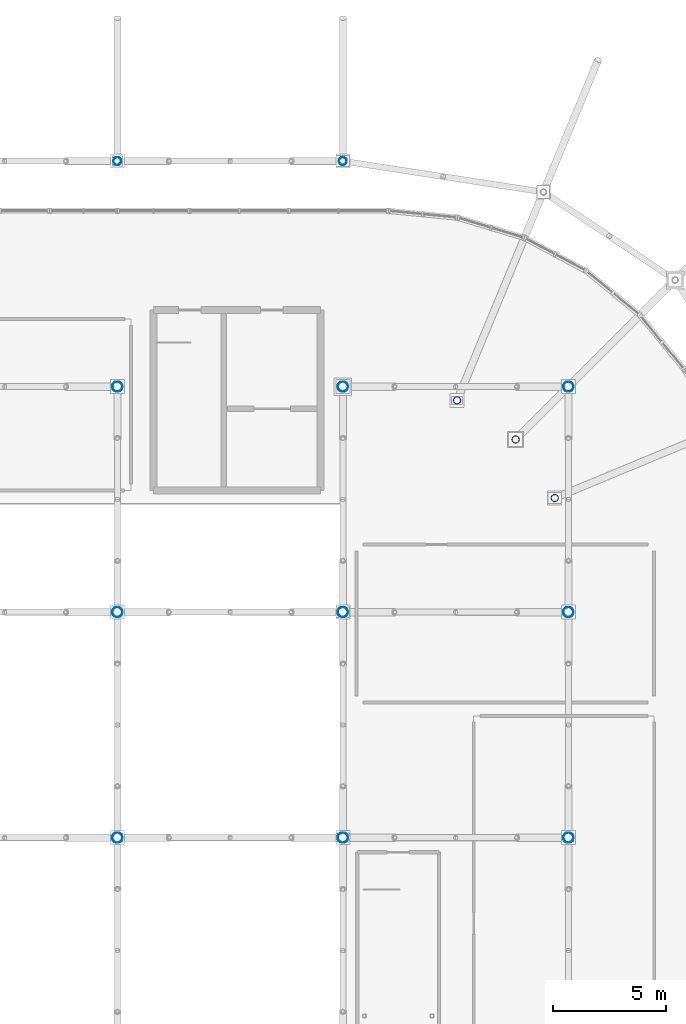
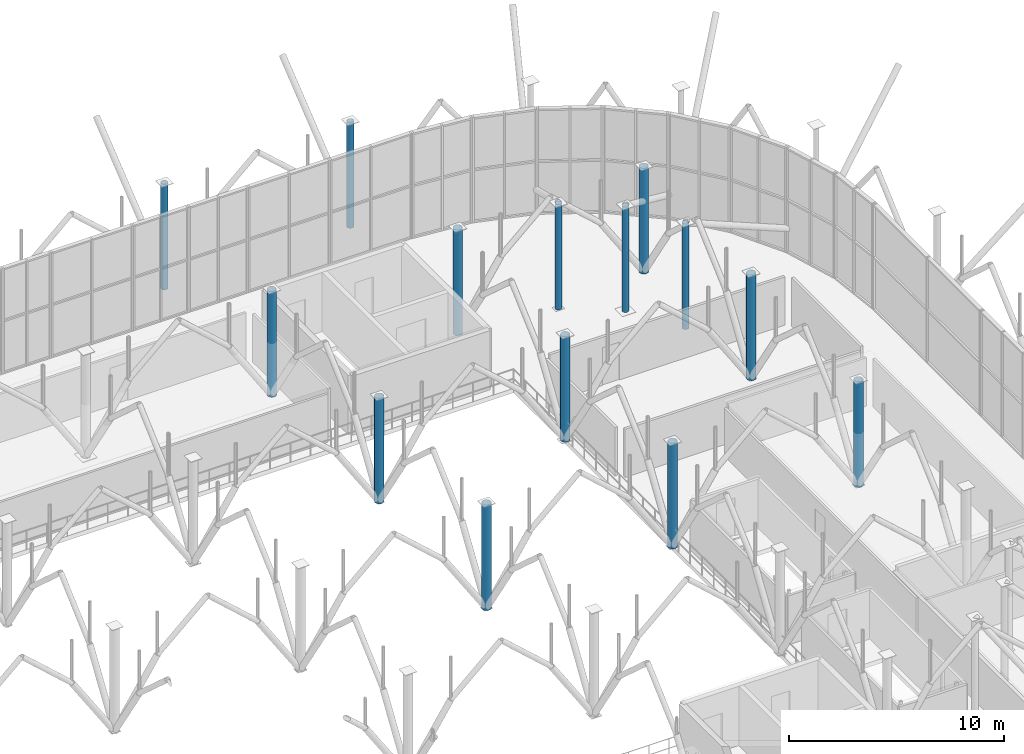
# One storey, part 13 of 109: 14 columns.
"""IFC4 building model written with IfcOpenShell, lengths in metres."""

from ifc_helpers import new_model, si_unit, derived_unit, direction, frame, origin, origin_2d_with_axis, place, context, subcontext, project, spatial, hollow_circle, extrude, material, material_profile, profile_set, type_object, element, save


model = new_model("IFC4")

# Units and contexts
model_context = context("Model", 3, precision=1e-05, world=origin(), true_north=direction((0.0, 1.0)))
body_context = subcontext(model_context, "Body", "Model", "MODEL_VIEW")
ifc_project = project(units=[si_unit("LENGTHUNIT", "METRE"), si_unit("AREAUNIT", "SQUARE_METRE"), si_unit("VOLUMEUNIT", "CUBIC_METRE"), si_unit("PLANEANGLEUNIT", "RADIAN"), si_unit("MASSUNIT", "GRAM", prefix="KILO"), derived_unit("THERMALTRANSMITTANCEUNIT", [(si_unit("POWERUNIT", "WATT"), 1), (si_unit("LENGTHUNIT", "METRE"), -2), (si_unit("THERMODYNAMICTEMPERATUREUNIT", "KELVIN"), -1)])], contexts=[model_context])

# Site, building, storey
site_placement = place(None, origin())
site = spatial("IfcSite", under=ifc_project, at=site_placement, CompositionType="ELEMENT")
building_placement = place(site_placement, origin())
building = spatial("IfcBuilding", under=site, at=building_placement, Name="Cinnabar Yard Market Hall", CompositionType="ELEMENT")
storey_placement = place(building_placement, frame((0.0, 0.0, 8.39990234375)))
storey = spatial("IfcBuildingStorey", under=building, at=storey_placement, Name="L02", CompositionType="ELEMENT", Elevation=8.39990234375)

# Columns
ifc_material = material(Name="Spotted-gum glulam-clad steel Grade 350 (350 MPa)", Category="steel")
ifc_material_profile_1 = material_profile(ifc_material, hollow_circle(Radius=0.228515625, WallThickness=0.0126953125, at=origin_2d_with_axis()), Name="457.0x12.7CHS")
ifc_profile_set_1 = profile_set([ifc_material_profile_1], Name="Spotted-gum glulam-clad steel Grade 350 (350 MPa)")
column_type_1 = type_object("IfcColumnType", Name="COL-C01", PredefinedType="COLUMN", material=ifc_profile_set_1)
for number, where, z_axis, x_axis, name in (
    (1, (136.0, 44.0, 0.0), (0.0, 0.0, 1.0), (1.0, 0.0, 0.0), "Tree Column V1I-07-03 L02"),
    (2, (136.0, 54.0, 0.0), (0.0, 0.0, 1.0), (1.0, 0.0, 0.0), "Tree Column V1I-07-04 L02"),
    (3, (136.0, 64.0, 0.0), (0.0, 0.0, 1.0), (1.0, 0.0, 0.0), "Tree Column V1I-07-05 L02"),
    (4, (146.0, 44.0, 0.0), (0.0, 0.0, 1.0), (1.0, 0.0, 0.0), "Tree Column V1I-08-03 L02"),
    (5, (146.0, 54.0, 0.0), (0.0, 0.0, 1.0), (1.0, 0.0, 0.0), "Tree Column V1I-08-04 L02"),
    (6, (146.0, 64.0, 0.0), (0.0, 0.0, 1.0), (1.0, 0.0, 0.0), "Tree Column V1I-08-05 L02"),
    (7, (156.0, 44.0, 0.0), (0.0, 0.0, 1.0), (1.0, 0.0, 0.0), "Tree Column V1I-09-03 L02"),
    (8, (156.0, 54.0, 0.0), (0.0, 0.0, 1.0), (1.0, 0.0, 0.0), "Tree Column V1I-09-04 L02"),
    (9, (156.0, 64.0, 0.0), (0.0, 0.0, 1.0), (1.0, 0.0, 0.0), "Tree Column V1I-09-05 L02"),
):
    element("IfcColumn", number, at=place(storey_placement, frame(where, z_axis=z_axis, x_axis=x_axis)), inside=storey, type_object=column_type_1, Name=name, PredefinedType="COLUMN", context=body_context, shape_type="SweptSolid", body=[
        extrude(hollow_circle(Radius=0.228515625, WallThickness=0.0126953125, at=origin_2d_with_axis()), origin(), (0.0, 0.0, 1.0), 6.0),
    ])
ifc_material_profile_2 = material_profile(ifc_material, hollow_circle(Radius=0.177734375, WallThickness=0.0126953125, at=origin_2d_with_axis()), Name="355.6x12.7CHS")
ifc_profile_set_2 = profile_set([ifc_material_profile_2], Name="Spotted-gum glulam-clad steel Grade 350 (350 MPa)")
column_type_2 = type_object("IfcColumnType", Name="COL-C02E", PredefinedType="COLUMN", material=ifc_profile_set_2)
for number, where, z_axis, x_axis, name in (
    (10, (136.0, 74.0, 0.0), (0.0, 0.0, 1.0), (1.0, 0.0, 0.0), "Tree Column V1N-06 L02"),
    (11, (146.0, 74.0, 0.0), (0.0, 0.0, 1.0), (1.0, 0.0, 0.0), "Tree Column V1N-07 L02"),
):
    element("IfcColumn", number, at=place(storey_placement, frame(where, z_axis=z_axis, x_axis=x_axis)), inside=storey, type_object=column_type_2, Name=name, PredefinedType="COLUMN", context=body_context, shape_type="SweptSolid", body=[
        extrude(hollow_circle(Radius=0.177734375, WallThickness=0.0126953125, at=origin_2d_with_axis()), origin(), (0.0, 0.0, 1.0), 6.0),
    ])
ifc_material_profile_3 = material_profile(ifc_material, hollow_circle(Radius=0.161865234375, WallThickness=0.009521484375, at=origin_2d_with_axis()), Name="323.9x9.5CHS")
ifc_profile_set_3 = profile_set([ifc_material_profile_3], Name="Spotted-gum glulam-clad steel Grade 350 (350 MPa)")
column_type_3 = type_object("IfcColumnType", Name="COL-C03", PredefinedType="COLUMN", material=ifc_profile_set_3)
for number, where, z_axis, x_axis, name in (
    (12, (155.39111328125, 59.0615234375, 0.0), (0.0, 0.0, 1.0), (1.0, 0.0, 0.0), "Tree Column V1IC-NE2 L02"),
    (13, (153.656982421875, 61.656982421875, 0.0), (0.0, 0.0, 1.0), (1.0, 0.0, 0.0), "Tree Column V1IC-NE4 L02"),
    (14, (151.0615234375, 63.39111328125, 0.0), (0.0, 0.0, 1.0), (1.0, 0.0, 0.0), "Tree Column V1IC-NE6 L02"),
):
    element("IfcColumn", number, at=place(storey_placement, frame(where, z_axis=z_axis, x_axis=x_axis)), inside=storey, type_object=column_type_3, Name=name, PredefinedType="COLUMN", context=body_context, shape_type="SweptSolid", body=[
        extrude(hollow_circle(Radius=0.161865234375, WallThickness=0.009521484375, at=origin_2d_with_axis()), origin(), (0.0, 0.0, 1.0), 6.0),
    ])

save(model, "model.ifc")
